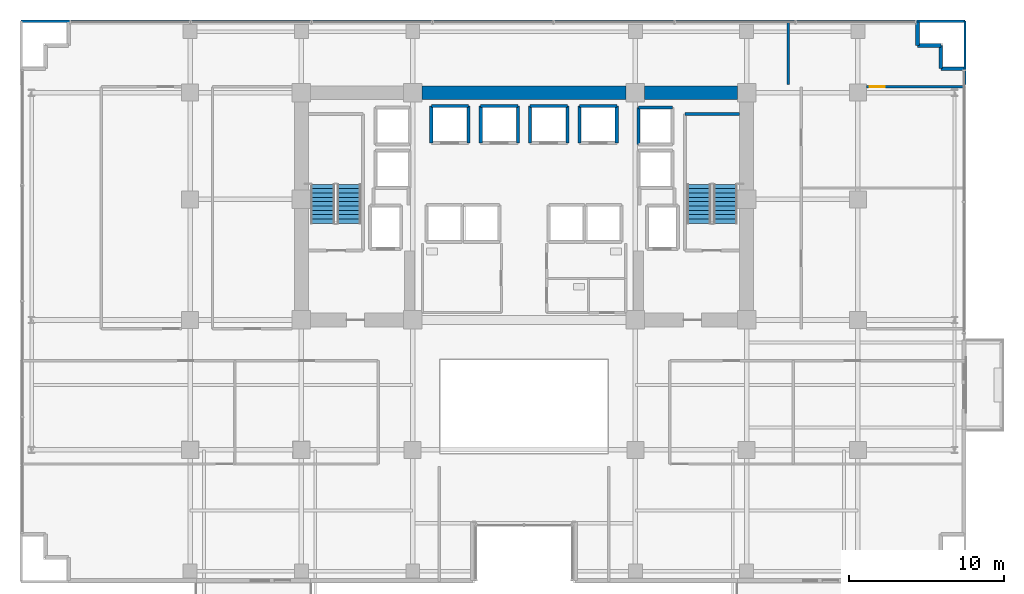
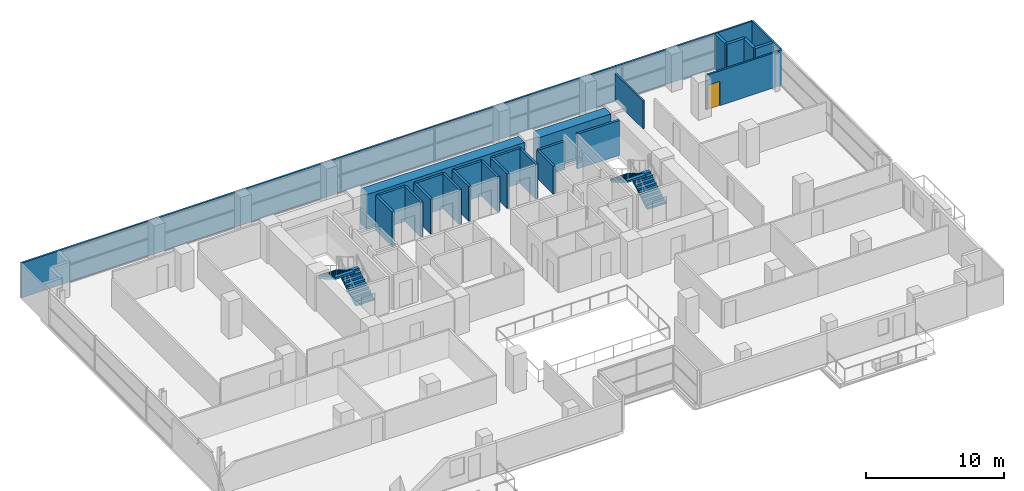
# One storey, part 25 of 29: 26 walls, 4 stair flights, 1 door, 1 opening, 2 elements without a shape of their own.
"""IFC4 building model written with IfcOpenShell, lengths in metres."""

from ifc_helpers import new_model, si_unit, direction, frame, frame_2d, origin, place, context, subcontext, project, spatial, polyline, rectangle, outline, extrude, source, transform, mapped, material, layer, layer_set, type_object, element, fill, aggregate, save


model = new_model("IFC4")

# Units and contexts
model_context = context("Model", 3, precision=1e-05, world=origin(), true_north=direction((0.0, 1.0)))
body_context = subcontext(model_context, "Body", "Model", "MODEL_VIEW")
ifc_project = project(units=[si_unit("LENGTHUNIT", "METRE"), si_unit("AREAUNIT", "SQUARE_METRE"), si_unit("VOLUMEUNIT", "CUBIC_METRE"), si_unit("PLANEANGLEUNIT", "RADIAN"), si_unit("MASSUNIT", "GRAM", prefix="KILO")], contexts=[model_context])

# Site, building, storey
site_placement = place(None, origin())
site = spatial("IfcSite", under=ifc_project, at=site_placement, CompositionType="ELEMENT")
building_placement = place(site_placement, origin())
building = spatial("IfcBuilding", under=site, at=building_placement, Name="Zarnakvel Exchange Tower", CompositionType="ELEMENT")
storey_placement = place(building_placement, frame((0.0, 0.0, 37.300048828125)))
storey = spatial("IfcBuildingStorey", under=building, at=storey_placement, Name="L09", CompositionType="ELEMENT", Elevation=37.300048828125)

# Walls
ifc_material_1 = material(Name="Concrete C80/95", Category="concrete")
ifc_layer_1 = layer(ifc_material_1, 0.89990234375)
ifc_layer_set_1 = layer_set([ifc_layer_1], Name="Concrete C80/95")
wall_type_1 = type_object("IfcWallType", Name="CW-C1", PredefinedType="SHEAR", material=ifc_layer_set_1)
wall_1_placement = place(storey_placement, frame((-6.60009765625, 13.5, 0.0), z_axis=(0.0, 0.0, 1.0), x_axis=(1.0, 0.0, 0.0)))
element("IfcWall", 1, at=wall_1_placement, inside=storey, type_object=wall_type_1, Name="L09 Rear Core Shear Wall N2 (CW-C1)", PredefinedType="SHEAR", context=body_context, shape_type="SweptSolid", body=[
    extrude(rectangle(XDim=13.2001953125, YDim=0.89990234375, at=frame_2d((6.60009765625, 0.0))), origin(), (0.0, 0.0, 1.0), 3.074951171875),
])
wall_2_placement = place(storey_placement, frame((7.800048828125, 13.5, 0.0), z_axis=(0.0, 0.0, 1.0), x_axis=(1.0, 0.0, 0.0)))
element("IfcWall", 2, at=wall_2_placement, inside=storey, type_object=wall_type_1, Name="L09 Rear Core Shear Wall N3 (CW-C1)", PredefinedType="SHEAR", context=body_context, shape_type="SweptSolid", body=[
    extrude(rectangle(XDim=6.0, YDim=0.89990234375, at=frame_2d((3.0, 0.0))), origin(), (0.0, 0.0, 1.0), 3.074951171875),
])
ifc_material_2 = material(Name="Precast concrete C40/50", Category="concrete")
ifc_layer_2 = layer(ifc_material_2, 0.239990234375)
ifc_layer_set_2 = layer_set([ifc_layer_2], Name="Precast concrete C40/50")
wall_type_2 = type_object("IfcWallType", Name="EW-02", PredefinedType="SOLIDWALL", material=ifc_layer_set_2)
for number, where, z_axis, x_axis, name in (
    (3, (25.4599609375, 16.56005859375, 0.0), (0.0, 0.0, 1.0), (0.0, 1.0, 0.0), "L09 Exterior Precast Spandrel Wall EWC-L09-05 (EW-02)"),
    (4, (26.9599609375, 16.56005859375, 0.0), (0.0, 0.0, 1.0), (-1.0, 0.0, 0.0), "L09 Exterior Precast Spandrel Wall EWC-L09-06 (EW-02)"),
    (5, (26.9599609375, 15.06005859375, 0.0), (0.0, 0.0, 1.0), (0.0, 1.0, 0.0), "L09 Exterior Precast Spandrel Wall EWC-L09-07 (EW-02)"),
    (6, (28.4599609375, 15.06005859375, 0.0), (0.0, 0.0, 1.0), (-1.0, 0.0, 0.0), "L09 Exterior Precast Spandrel Wall EWC-L09-08 (EW-02)"),
):
    element("IfcWall", number, at=place(storey_placement, frame(where, z_axis=z_axis, x_axis=x_axis)), inside=storey, type_object=wall_type_2, Name=name, PredefinedType="SOLIDWALL", context=body_context, shape_type="SweptSolid", body=[
        extrude(rectangle(XDim=1.5, YDim=0.239990234375, at=frame_2d((0.75, 0.0))), origin(), (0.0, 0.0, 1.0), 3.074951171875),
    ])

# Wall, opening, door
ifc_material_3 = material(Name="Fire-Rated Gypsum Stud Partition", Category="gypsum")
ifc_layer_3 = layer(ifc_material_3, 0.14990234375)
ifc_layer_set_3 = layer_set([ifc_layer_3], Name="Fire-Rated Gypsum Stud Partition")
wall_type_3 = type_object("IfcWallType", Name="PT-01", PredefinedType="PARTITIONING", material=ifc_layer_set_3)
wall_3_placement = place(storey_placement, frame((22.169921875, 13.8798828125, 0.0), z_axis=(0.0, 0.0, 1.0), x_axis=(1.0, 0.0, 0.0)))
wall_3 = element("IfcWall", 7, at=wall_3_placement, inside=storey, type_object=wall_type_3, Name="L09 Partition Wall PWALL-L09-052 (PT-01)", PredefinedType="PARTITIONING", context=body_context, shape_type="SweptSolid", body=[
    extrude(rectangle(XDim=6.360107421875, YDim=0.14990234375, at=frame_2d((3.18017578125, 0.0))), origin(), (0.0, 0.0, 1.0), 3.074951171875),
])
opening_placement = place(wall_3_placement, frame((0.179931640625, 0.0, 0.0)))
opening = element("IfcOpeningElement", 8, at=opening_placement, cuts=wall_3, Name="Opening D-L09-20", PredefinedType="OPENING", context=body_context, shape_type="SweptSolid", body=[
    extrude(rectangle(XDim=0.97998046875, YDim=2.14990234375, at=frame_2d((0.489990234375, 1.074951171875))), frame((0.0, 0.0849609375, 0.0), z_axis=(0.0, -1.0, 0.0), x_axis=(1.0, 0.0, 0.0)), (0.0, 0.0, 1.0), 0.169921875),
])
ifc_material_4 = material(Name="Timber Acoustic Veneer", Category="wood")
door_type = type_object("IfcDoorType", Name="DT-05", OperationType="NOTDEFINED", PredefinedType="DOOR", material=ifc_material_4)
shared_shape = source(origin(), body_context, "Body", "SweptSolid", [
    extrude(rectangle(XDim=0.97998046875, YDim=2.14990234375, at=frame_2d((0.489990234375, 1.074951171875))), frame((0.0, 0.02490234375, 0.0), z_axis=(0.0, -1.0, 0.0), x_axis=(1.0, 0.0, 0.0)), (0.0, 0.0, 1.0), 0.050048828125),
])
door_placement = place(opening_placement, origin())
door = element("IfcDoor", 9, at=door_placement, inside=storey, type_object=door_type, Name="L09 Reception Lounge Door D-L09-20", OperationType="SINGLE_SWING_RIGHT", OverallHeight=2.14990234375, OverallWidth=0.97998046875, PredefinedType="DOOR", context=body_context, shape_type="MappedRepresentation", body=[
    mapped(shared_shape, transform((0.0, 0.0, 0.0), x_axis=(1.0, 0.0, 0.0), y_axis=(0.0, 1.0, 0.0), z_axis=(0.0, 0.0, 1.0), scale=1.0)),
])
fill(opening, door)

# Walls
wall_4_placement = place(storey_placement, frame((-32.530029296875, 18.1298828125, 0.0), z_axis=(0.0, 0.0, 1.0), x_axis=(1.0, 0.0, 0.0)))
element("IfcWall", 10, at=wall_4_placement, inside=storey, type_object=wall_type_3, Name="L09 Partition Wall PWALL-L09-055 (PT-01)", PredefinedType="PARTITIONING", context=body_context, shape_type="SweptSolid", body=[
    extrude(rectangle(XDim=49.630126953125, YDim=0.14990234375, at=frame_2d((24.81494140625, 0.0))), origin(), (0.0, 0.0, 1.0), 3.074951171875),
])
wall_5_placement = place(storey_placement, frame((17.10009765625, 18.1298828125, 0.0), z_axis=(0.0, 0.0, 1.0), x_axis=(0.0, -1.0, 0.0)))
element("IfcWall", 11, at=wall_5_placement, inside=storey, type_object=wall_type_3, Name="L09 Partition Wall PWALL-L09-057 (PT-01)", PredefinedType="PARTITIONING", context=body_context, shape_type="SweptSolid", body=[
    extrude(rectangle(XDim=4.099853515625, YDim=0.14990234375, at=frame_2d((2.0498046875, 0.0))), origin(), (0.0, 0.0, 1.0), 2.46484375),
])
wall_6_placement = place(storey_placement, frame((17.10009765625, 18.1298828125, 0.0), z_axis=(0.0, 0.0, 1.0), x_axis=(1.0, 0.0, 0.0)))
element("IfcWall", 12, at=wall_6_placement, inside=storey, type_object=wall_type_3, Name="L09 Partition Wall PWALL-L09-058 (PT-01)", PredefinedType="PARTITIONING", context=body_context, shape_type="SweptSolid", body=[
    extrude(rectangle(XDim=11.429931640625, YDim=0.14990234375, at=frame_2d((5.71484375, 0.0))), origin(), (0.0, 0.0, 1.0), 3.074951171875),
])
wall_7_placement = place(storey_placement, frame((28.530029296875, 18.1298828125, 0.0), z_axis=(0.0, 0.0, 1.0), x_axis=(0.0, -1.0, 0.0)))
element("IfcWall", 13, at=wall_7_placement, inside=storey, type_object=wall_type_3, Name="L09 Partition Wall PWALL-L09-059 (PT-01)", PredefinedType="PARTITIONING", context=body_context, shape_type="SweptSolid", body=[
    extrude(rectangle(XDim=4.099853515625, YDim=0.14990234375, at=frame_2d((2.0498046875, 0.0))), origin(), (0.0, 0.0, 1.0), 3.074951171875),
])
ifc_material_5 = material(Name="Concrete C40/50", Category="concrete")
ifc_layer_4 = layer(ifc_material_5, 0.199951171875)
ifc_layer_set_4 = layer_set([ifc_layer_4], Name="Concrete C40/50")
wall_type_4 = type_object("IfcWallType", Name="SW-01", PredefinedType="SOLIDWALL", material=ifc_layer_set_4)
for number, where, z_axis, x_axis, name in (
    (14, (-6.0, 12.64990234375, 0.0), (0.0, 0.0, 1.0), (1.0, 0.0, 0.0), "L09 PL-01 Hoistway Wall North"),
    (15, (-6.0, 10.25, 0.0), (0.0, 0.0, 1.0), (0.0, 1.0, 0.0), "L09 PL-01 Hoistway Wall West"),
    (16, (-3.60009765625, 12.64990234375, 0.0), (0.0, 0.0, 1.0), (0.0, -1.0, 0.0), "L09 PL-01 Hoistway Wall East"),
):
    element("IfcWall", number, at=place(storey_placement, frame(where, z_axis=z_axis, x_axis=x_axis)), inside=storey, type_object=wall_type_4, Name=name, PredefinedType="SOLIDWALL", context=body_context, shape_type="SweptSolid", body=[
        extrude(rectangle(XDim=2.39990234375, YDim=0.199951171875, at=frame_2d((1.199951171875, 0.0))), origin(), (0.0, 0.0, 1.0), 3.074951171875),
    ])
wall_8_placement = place(storey_placement, frame((-2.800048828125, 12.64990234375, 0.0), z_axis=(0.0, 0.0, 1.0), x_axis=(1.0, 0.0, 0.0)))
element("IfcWall", 17, at=wall_8_placement, inside=storey, type_object=wall_type_4, Name="L09 PL-02 Hoistway Wall North", PredefinedType="SOLIDWALL", context=body_context, shape_type="SweptSolid", body=[
    extrude(rectangle(XDim=2.400146484375, YDim=0.199951171875, at=frame_2d((1.2001953125, 0.0))), origin(), (0.0, 0.0, 1.0), 3.074951171875),
])
for number, where, z_axis, x_axis, name in (
    (18, (-2.800048828125, 10.25, 0.0), (0.0, 0.0, 1.0), (0.0, 1.0, 0.0), "L09 PL-02 Hoistway Wall West"),
    (19, (-0.39990234375, 12.64990234375, 0.0), (0.0, 0.0, 1.0), (0.0, -1.0, 0.0), "L09 PL-02 Hoistway Wall East"),
):
    element("IfcWall", number, at=place(storey_placement, frame(where, z_axis=z_axis, x_axis=x_axis)), inside=storey, type_object=wall_type_4, Name=name, PredefinedType="SOLIDWALL", context=body_context, shape_type="SweptSolid", body=[
        extrude(rectangle(XDim=2.39990234375, YDim=0.199951171875, at=frame_2d((1.199951171875, 0.0))), origin(), (0.0, 0.0, 1.0), 3.074951171875),
    ])
wall_9_placement = place(storey_placement, frame((0.39990234375, 12.64990234375, 0.0), z_axis=(0.0, 0.0, 1.0), x_axis=(1.0, 0.0, 0.0)))
element("IfcWall", 20, at=wall_9_placement, inside=storey, type_object=wall_type_4, Name="L09 PL-03 Hoistway Wall North", PredefinedType="SOLIDWALL", context=body_context, shape_type="SweptSolid", body=[
    extrude(rectangle(XDim=2.400146484375, YDim=0.199951171875, at=frame_2d((1.2001953125, 0.0))), origin(), (0.0, 0.0, 1.0), 3.074951171875),
])
for number, where, z_axis, x_axis, name in (
    (21, (0.39990234375, 10.25, 0.0), (0.0, 0.0, 1.0), (0.0, 1.0, 0.0), "L09 PL-03 Hoistway Wall West"),
    (22, (2.800048828125, 12.64990234375, 0.0), (0.0, 0.0, 1.0), (0.0, -1.0, 0.0), "L09 PL-03 Hoistway Wall East"),
    (23, (3.60009765625, 12.64990234375, 0.0), (0.0, 0.0, 1.0), (1.0, 0.0, 0.0), "L09 PL-04 Hoistway Wall North"),
    (24, (3.60009765625, 10.25, 0.0), (0.0, 0.0, 1.0), (0.0, 1.0, 0.0), "L09 PL-04 Hoistway Wall West"),
    (25, (6.0, 12.64990234375, 0.0), (0.0, 0.0, 1.0), (0.0, -1.0, 0.0), "L09 PL-04 Hoistway Wall East"),
):
    element("IfcWall", number, at=place(storey_placement, frame(where, z_axis=z_axis, x_axis=x_axis)), inside=storey, type_object=wall_type_4, Name=name, PredefinedType="SOLIDWALL", context=body_context, shape_type="SweptSolid", body=[
        extrude(rectangle(XDim=2.39990234375, YDim=0.199951171875, at=frame_2d((1.199951171875, 0.0))), origin(), (0.0, 0.0, 1.0), 3.074951171875),
    ])
wall_10_placement = place(storey_placement, frame((7.39990234375, 12.550048828125, 0.0), z_axis=(0.0, 0.0, 1.0), x_axis=(1.0, 0.0, 0.0)))
element("IfcWall", 26, at=wall_10_placement, inside=storey, type_object=wall_type_4, Name="L09 PL-12 Hoistway Wall North", PredefinedType="SOLIDWALL", context=body_context, shape_type="SweptSolid", body=[
    extrude(rectangle(XDim=2.2001953125, YDim=0.199951171875, at=frame_2d((1.10009765625, 0.0))), origin(), (0.0, 0.0, 1.0), 2.46484375),
])
wall_11_placement = place(storey_placement, frame((7.39990234375, 10.14990234375, 0.0), z_axis=(0.0, 0.0, 1.0), x_axis=(0.0, 1.0, 0.0)))
element("IfcWall", 27, at=wall_11_placement, inside=storey, type_object=wall_type_4, Name="L09 PL-12 Hoistway Wall West", PredefinedType="SOLIDWALL", context=body_context, shape_type="SweptSolid", body=[
    extrude(rectangle(XDim=2.400146484375, YDim=0.199951171875, at=frame_2d((1.2001953125, 0.0))), origin(), (0.0, 0.0, 1.0), 2.46484375),
])
ifc_layer_5 = layer(ifc_material_5, 0.199951171875)
ifc_layer_set_5 = layer_set([ifc_layer_5], Name="Concrete C40/50")
wall_type_5 = type_object("IfcWallType", Name="SW-02", PredefinedType="SOLIDWALL", material=ifc_layer_set_5)
wall_12_placement = place(storey_placement, frame((10.409912109375, 12.1298828125, 0.0), z_axis=(0.0, 0.0, 1.0), x_axis=(1.0, 0.0, 0.0)))
element("IfcWall", 28, at=wall_12_placement, inside=storey, type_object=wall_type_5, Name="L09 Stairwell Core Wall PWALL-L09-005 (SW-02)", PredefinedType="SOLIDWALL", context=body_context, shape_type="SweptSolid", body=[
    extrude(rectangle(XDim=3.52001953125, YDim=0.199951171875, at=frame_2d((1.760009765625, 0.0))), origin(), (0.0, 0.0, 1.0), 3.074951171875),
])

# Stair, stair flights
stair_type = type_object("IfcStairType", Name="STR-01", PredefinedType="HALF_TURN_STAIR", material=ifc_material_5)
stair_1_placement = place(storey_placement, origin())
stair_1 = element("IfcStair", 29, at=stair_1_placement, inside=storey, type_object=stair_type, Name="L09 Protected Core Exit Stair ST-01", PredefinedType="HALF_TURN_STAIR")
stair_flight_type = type_object("IfcStairFlightType", Name="FLT-01", PredefinedType="STRAIGHT", material=ifc_material_5)
stair_flight_1_placement = place(storey_placement, frame((-11.31494140625, 5.050048828125, 0.0), z_axis=(0.0, 0.0, 1.0), x_axis=(0.0, 1.0, 0.0)))
stair_flight_1 = element("IfcStairFlight", 30, at=stair_flight_1_placement, type_object=stair_flight_type, Name="ST-01 flight 1", NumberOfRisers=10, NumberOfTreads=9, PredefinedType="STRAIGHT", RiserHeight=0.165, TreadLength=0.28, context=body_context, shape_type="SweptSolid", body=[
    extrude(outline(polyline([(0.0, 0.0), (0.0, 0.1650390625), (0.280029296875, 0.1650390625), (0.280029296875, 0.330078125), (0.56005859375, 0.330078125), (0.56005859375, 0.4951171875), (0.840087890625, 0.4951171875), (0.840087890625, 0.659912109375), (1.1201171875, 0.659912109375), (1.1201171875, 0.824951171875), (1.39990234375, 0.824951171875), (1.39990234375, 0.989990234375), (1.679931640625, 0.989990234375), (1.679931640625, 1.155029296875), (1.9599609375, 1.155029296875), (1.9599609375, 1.320068359375), (2.239990234375, 1.320068359375), (2.239990234375, 1.485107421875), (2.52001953125, 1.485107421875), (2.52001953125, 1.64990234375), (2.52001953125, 1.31103515625), (0.295166015625, 0.0), (0.0, 0.0)])), frame((0.0, 0.77490234375, 0.0), z_axis=(0.0, -1.0, 0.0), x_axis=(1.0, 0.0, 0.0)), (0.0, 0.0, 1.0), 1.550048828125),
])
stair_flight_2_placement = place(storey_placement, frame((-13.02490234375, 7.570068359375, 1.64990234375), z_axis=(0.0, 0.0, 1.0), x_axis=(0.0, -1.0, 0.0)))
stair_flight_2 = element("IfcStairFlight", 31, at=stair_flight_2_placement, type_object=stair_flight_type, Name="ST-01 flight 2", NumberOfRisers=10, NumberOfTreads=9, PredefinedType="STRAIGHT", RiserHeight=0.165, TreadLength=0.28, context=body_context, shape_type="SweptSolid", body=[
    extrude(outline(polyline([(0.0, 0.0), (0.0, 0.1650390625), (0.280029296875, 0.1650390625), (0.280029296875, 0.330078125), (0.56005859375, 0.330078125), (0.56005859375, 0.4951171875), (0.840087890625, 0.4951171875), (0.840087890625, 0.659912109375), (1.1201171875, 0.659912109375), (1.1201171875, 0.824951171875), (1.39990234375, 0.824951171875), (1.39990234375, 0.989990234375), (1.679931640625, 0.989990234375), (1.679931640625, 1.155029296875), (1.9599609375, 1.155029296875), (1.9599609375, 1.320068359375), (2.239990234375, 1.320068359375), (2.239990234375, 1.485107421875), (2.52001953125, 1.485107421875), (2.52001953125, 1.64990234375), (2.52001953125, 1.31103515625), (0.295166015625, 0.0), (0.0, 0.0)])), frame((0.0, 0.77490234375, 0.0), z_axis=(0.0, -1.0, 0.0), x_axis=(1.0, 0.0, 0.0)), (0.0, 0.0, 1.0), 1.550048828125),
])
aggregate(stair_1, [stair_flight_1, stair_flight_2])

stair_2_placement = place(storey_placement, origin())
stair_2 = element("IfcStair", 32, at=stair_2_placement, inside=storey, type_object=stair_type, Name="L09 Protected Core Exit Stair ST-02", PredefinedType="HALF_TURN_STAIR")
stair_flight_3_placement = place(storey_placement, frame((13.02490234375, 5.050048828125, 0.0), z_axis=(0.0, 0.0, 1.0), x_axis=(0.0, 1.0, 0.0)))
stair_flight_3 = element("IfcStairFlight", 33, at=stair_flight_3_placement, type_object=stair_flight_type, Name="ST-02 flight 1", NumberOfRisers=10, NumberOfTreads=9, PredefinedType="STRAIGHT", RiserHeight=0.165, TreadLength=0.28, context=body_context, shape_type="SweptSolid", body=[
    extrude(outline(polyline([(0.0, 0.0), (0.0, 0.1650390625), (0.280029296875, 0.1650390625), (0.280029296875, 0.330078125), (0.56005859375, 0.330078125), (0.56005859375, 0.4951171875), (0.840087890625, 0.4951171875), (0.840087890625, 0.659912109375), (1.1201171875, 0.659912109375), (1.1201171875, 0.824951171875), (1.39990234375, 0.824951171875), (1.39990234375, 0.989990234375), (1.679931640625, 0.989990234375), (1.679931640625, 1.155029296875), (1.9599609375, 1.155029296875), (1.9599609375, 1.320068359375), (2.239990234375, 1.320068359375), (2.239990234375, 1.485107421875), (2.52001953125, 1.485107421875), (2.52001953125, 1.64990234375), (2.52001953125, 1.31103515625), (0.295166015625, 0.0), (0.0, 0.0)])), frame((0.0, 0.77490234375, 0.0), z_axis=(0.0, -1.0, 0.0), x_axis=(1.0, 0.0, 0.0)), (0.0, 0.0, 1.0), 1.550048828125),
])
stair_flight_4_placement = place(storey_placement, frame((11.31494140625, 7.570068359375, 1.64990234375), z_axis=(0.0, 0.0, 1.0), x_axis=(0.0, -1.0, 0.0)))
stair_flight_4 = element("IfcStairFlight", 34, at=stair_flight_4_placement, type_object=stair_flight_type, Name="ST-02 flight 2", NumberOfRisers=10, NumberOfTreads=9, PredefinedType="STRAIGHT", RiserHeight=0.165, TreadLength=0.28, context=body_context, shape_type="SweptSolid", body=[
    extrude(outline(polyline([(0.0, 0.0), (0.0, 0.1650390625), (0.280029296875, 0.1650390625), (0.280029296875, 0.330078125), (0.56005859375, 0.330078125), (0.56005859375, 0.4951171875), (0.840087890625, 0.4951171875), (0.840087890625, 0.659912109375), (1.1201171875, 0.659912109375), (1.1201171875, 0.824951171875), (1.39990234375, 0.824951171875), (1.39990234375, 0.989990234375), (1.679931640625, 0.989990234375), (1.679931640625, 1.155029296875), (1.9599609375, 1.155029296875), (1.9599609375, 1.320068359375), (2.239990234375, 1.320068359375), (2.239990234375, 1.485107421875), (2.52001953125, 1.485107421875), (2.52001953125, 1.64990234375), (2.52001953125, 1.31103515625), (0.295166015625, 0.0), (0.0, 0.0)])), frame((0.0, 0.77490234375, 0.0), z_axis=(0.0, -1.0, 0.0), x_axis=(1.0, 0.0, 0.0)), (0.0, 0.0, 1.0), 1.550048828125),
])
aggregate(stair_2, [stair_flight_3, stair_flight_4])

save(model, "model.ifc")
